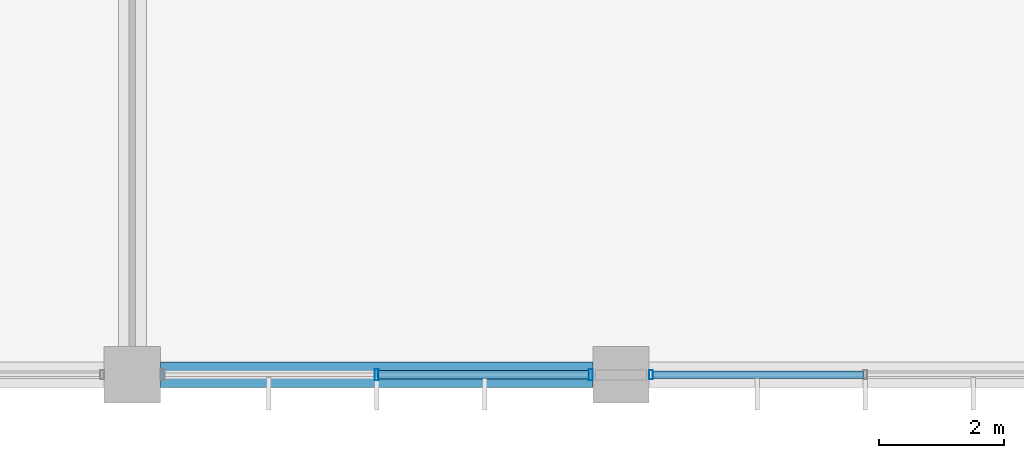
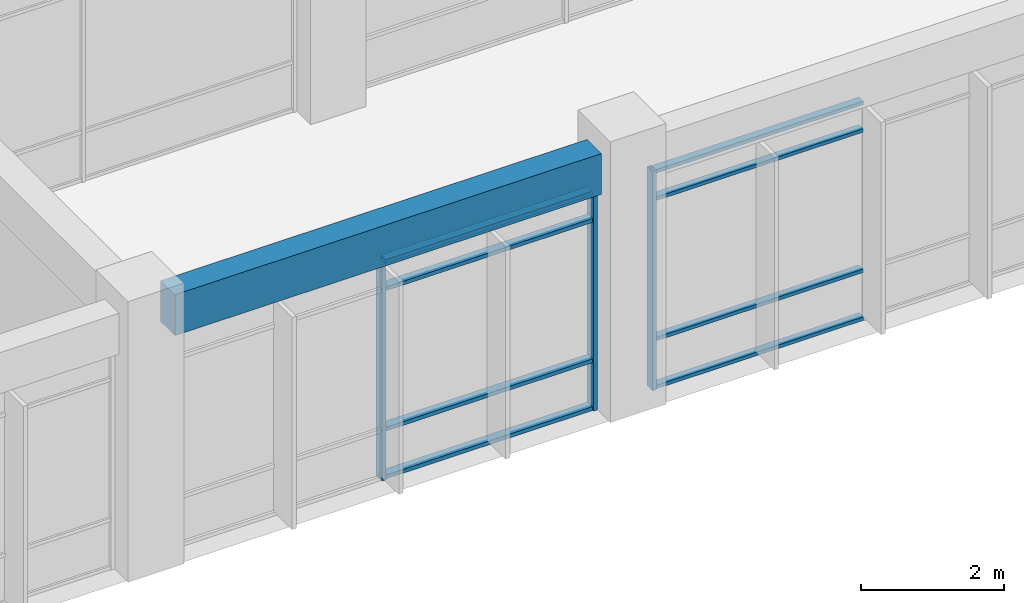
# One storey, part 20 of 79: 11 members, 1 beam, 2 elements without a shape of their own.
"""IFC4 building model written with IfcOpenShell, lengths in metres."""

from ifc_helpers import new_model, si_unit, direction, frame, origin, origin_2d, place, context, subcontext, project, spatial, rectangle, hollow_rectangle, extrude, material, material_profile, profile_set, type_object, element, aggregate, save


model = new_model("IFC4")

# Units and contexts
model_context = context("Model", 3, precision=1e-05, world=origin(), true_north=direction((0.0, 1.0)))
body_context = subcontext(model_context, "Body", "Model", "MODEL_VIEW")
ifc_project = project(units=[si_unit("LENGTHUNIT", "METRE"), si_unit("AREAUNIT", "SQUARE_METRE"), si_unit("VOLUMEUNIT", "CUBIC_METRE"), si_unit("PLANEANGLEUNIT", "RADIAN"), si_unit("MASSUNIT", "GRAM", prefix="KILO"), si_unit("THERMODYNAMICTEMPERATUREUNIT", "KELVIN"), si_unit("POWERUNIT", "WATT")], contexts=[model_context])

# Site, building, storey
site_placement = place(None, origin())
site = spatial("IfcSite", under=ifc_project, at=site_placement, CompositionType="ELEMENT")
building_placement = place(site_placement, origin())
building = spatial("IfcBuilding", under=site, at=building_placement, Name="Srebrne Nadtorze General Hospital", CompositionType="ELEMENT")
storey_placement = place(building_placement, frame((0.0, 0.0, 4.800048828125)))
storey = spatial("IfcBuildingStorey", under=building, at=storey_placement, Name="L01", CompositionType="ELEMENT", Elevation=4.800048828125)

# Curtain wall, member
ifc_material_1 = material(Name="Anodised Aluminium", Category="aluminium")
curtain_wall_type = type_object("IfcCurtainWallType", Name="Unitised curtain wall 6900x3750", PredefinedType="NOTDEFINED", material=ifc_material_1)
curtain_wall_1_placement = place(storey_placement, origin())
curtain_wall_1 = element("IfcCurtainWall", 1, at=curtain_wall_1_placement, inside=storey, type_object=curtain_wall_type, Name="Curtain wall CW-038", PredefinedType="NOTDEFINED")
ifc_material_2 = material(Name="Anodised Aluminium", Category="aluminium")
ifc_material_profile_1 = material_profile(ifc_material_2, hollow_rectangle(XDim=0.06005859375, YDim=0.14990234375, WallThickness=0.00390625, at=origin_2d()), Name="AL-MUL-60x150")
ifc_profile_set_1 = profile_set([ifc_material_profile_1], Name="Anodised Aluminium")
member_type_1 = type_object("IfcMemberType", Name="Curtain mullion 60x150", PredefinedType="MULLION", material=ifc_profile_set_1)
member_1_placement = place(storey_placement, frame((125.280029296875, 0.0, 0.0), z_axis=(0.0, 0.0, 1.0), x_axis=(1.0, 0.0, 0.0)))
member_1 = element("IfcMember", 2, at=member_1_placement, type_object=member_type_1, Name="CW-038 mullion 1", PredefinedType="MULLION", context=body_context, shape_type="SweptSolid", body=[
    extrude(hollow_rectangle(XDim=0.06005859375, YDim=0.14990234375, WallThickness=0.00390625, at=origin_2d()), origin(), (0.0, 0.0, 1.0), 3.75),
])

# Curtain wall, members
curtain_wall_2_placement = place(storey_placement, origin())
curtain_wall_2 = element("IfcCurtainWall", 3, at=curtain_wall_2_placement, inside=storey, type_object=curtain_wall_type, Name="Curtain wall CW-037", PredefinedType="NOTDEFINED")
ifc_material_3 = material(Name="Anodised Aluminium", Category="aluminium")
ifc_material_profile_2 = material_profile(ifc_material_3, hollow_rectangle(XDim=0.06494140625, YDim=0.179931640625, WallThickness=0.00390625, at=origin_2d()), Name="AL-MUL-65x180")
ifc_profile_set_2 = profile_set([ifc_material_profile_2], Name="Anodised Aluminium")
member_type_2 = type_object("IfcMemberType", Name="Curtain mullion 65x180", PredefinedType="MULLION", material=ifc_profile_set_2)
member_2_placement = place(storey_placement, frame((120.89990234375, 0.0, 0.0), z_axis=(0.0, 0.0, 1.0), x_axis=(1.0, 0.0, 0.0)))
member_2 = element("IfcMember", 4, at=member_2_placement, type_object=member_type_2, Name="CW-037 mullion 2", PredefinedType="MULLION", context=body_context, shape_type="SweptSolid", body=[
    extrude(hollow_rectangle(XDim=0.06494140625, YDim=0.179931640625, WallThickness=0.00390625, at=origin_2d()), origin(), (0.0, 0.0, 1.0), 3.75),
])
member_3_placement = place(storey_placement, frame((124.3173828125, 0.0, 0.0), z_axis=(0.0, 0.0, 1.0), x_axis=(1.0, 0.0, 0.0)))
member_3 = element("IfcMember", 5, at=member_3_placement, type_object=member_type_2, Name="CW-037 mullion 3", PredefinedType="MULLION", context=body_context, shape_type="SweptSolid", body=[
    extrude(hollow_rectangle(XDim=0.06494140625, YDim=0.179931640625, WallThickness=0.00390625, at=origin_2d()), origin(), (0.0, 0.0, 1.0), 3.75),
])

# Member
ifc_material_4 = material(Name="Anodised Aluminium", Category="aluminium")
ifc_material_profile_3 = material_profile(ifc_material_4, hollow_rectangle(XDim=0.06005859375, YDim=0.1201171875, WallThickness=0.00390625, at=origin_2d()), Name="AL-TRN-60x120")
ifc_profile_set_3 = profile_set([ifc_material_profile_3], Name="Anodised Aluminium")
member_type_3 = type_object("IfcMemberType", Name="Curtain transom 60x120", PredefinedType="USERDEFINED", material=ifc_profile_set_3)
member_4_placement = place(storey_placement, frame((125.31005859375, 0.0, 0.030029296875), z_axis=(1.0, 0.0, 0.0), x_axis=(0.0, 0.0, 1.0)))
member_4 = element("IfcMember", 6, at=member_4_placement, type_object=member_type_3, Name="CW-038 transom 1.1", ObjectType="TRANSOM", PredefinedType="USERDEFINED", context=body_context, shape_type="SweptSolid", body=[
    extrude(hollow_rectangle(XDim=0.06005859375, YDim=0.1201171875, WallThickness=0.00390625, at=origin_2d()), origin(), (0.0, 0.0, 1.0), 3.35986328125),
])

member_5_placement = place(storey_placement, frame((125.31005859375, 0.0, 0.849853515625), z_axis=(1.0, 0.0, 0.0), x_axis=(0.0, 0.0, 1.0)))
member_5 = element("IfcMember", 7, at=member_5_placement, type_object=member_type_3, Name="CW-038 transom 1.2", ObjectType="TRANSOM", PredefinedType="USERDEFINED", context=body_context, shape_type="SweptSolid", body=[
    extrude(hollow_rectangle(XDim=0.06005859375, YDim=0.1201171875, WallThickness=0.00390625, at=origin_2d()), origin(), (0.0, 0.0, 1.0), 3.35986328125),
])

member_6_placement = place(storey_placement, frame((125.31005859375, 0.0, 3.25), z_axis=(1.0, 0.0, 0.0), x_axis=(0.0, 0.0, 1.0)))
member_6 = element("IfcMember", 8, at=member_6_placement, type_object=member_type_3, Name="CW-038 transom 1.3", ObjectType="TRANSOM", PredefinedType="USERDEFINED", context=body_context, shape_type="SweptSolid", body=[
    extrude(hollow_rectangle(XDim=0.06005859375, YDim=0.1201171875, WallThickness=0.00390625, at=origin_2d()), origin(), (0.0, 0.0, 1.0), 3.35986328125),
])

member_7_placement = place(storey_placement, frame((125.31005859375, 0.0, 3.719970703125), z_axis=(1.0, 0.0, 0.0), x_axis=(0.0, 0.0, 1.0)))
member_7 = element("IfcMember", 9, at=member_7_placement, type_object=member_type_3, Name="CW-038 transom 1.4", ObjectType="TRANSOM", PredefinedType="USERDEFINED", context=body_context, shape_type="SweptSolid", body=[
    extrude(hollow_rectangle(XDim=0.06005859375, YDim=0.1201171875, WallThickness=0.00390625, at=origin_2d()), origin(), (0.0, 0.0, 1.0), 3.35986328125),
])

aggregate(curtain_wall_1, [member_1, member_4, member_5, member_6, member_7])

ifc_material_5 = material(Name="Anodised Aluminium", Category="aluminium")
ifc_material_profile_4 = material_profile(ifc_material_5, hollow_rectangle(XDim=0.06494140625, YDim=0.139892578125, WallThickness=0.00390625, at=origin_2d()), Name="AL-TRN-65x140")
ifc_profile_set_4 = profile_set([ifc_material_profile_4], Name="Anodised Aluminium")
member_type_4 = type_object("IfcMemberType", Name="Curtain transom 65x140", PredefinedType="USERDEFINED", material=ifc_profile_set_4)
member_8_placement = place(storey_placement, frame((120.9326171875, 0.0, 0.032470703125), z_axis=(1.0, 0.0, 0.0), x_axis=(0.0, 0.0, 1.0)))
member_8 = element("IfcMember", 10, at=member_8_placement, type_object=member_type_4, Name="CW-037 transom 2.1", ObjectType="TRANSOM", PredefinedType="USERDEFINED", context=body_context, shape_type="SweptSolid", body=[
    extrude(hollow_rectangle(XDim=0.06494140625, YDim=0.139892578125, WallThickness=0.00390625, at=origin_2d()), origin(), (0.0, 0.0, 1.0), 3.352294921875),
])

member_9_placement = place(storey_placement, frame((120.9326171875, 0.0, 0.849853515625), z_axis=(1.0, 0.0, 0.0), x_axis=(0.0, 0.0, 1.0)))
member_9 = element("IfcMember", 11, at=member_9_placement, type_object=member_type_4, Name="CW-037 transom 2.2", ObjectType="TRANSOM", PredefinedType="USERDEFINED", context=body_context, shape_type="SweptSolid", body=[
    extrude(hollow_rectangle(XDim=0.06494140625, YDim=0.139892578125, WallThickness=0.00390625, at=origin_2d()), origin(), (0.0, 0.0, 1.0), 3.352294921875),
])

member_10_placement = place(storey_placement, frame((120.9326171875, 0.0, 3.25), z_axis=(1.0, 0.0, 0.0), x_axis=(0.0, 0.0, 1.0)))
member_10 = element("IfcMember", 12, at=member_10_placement, type_object=member_type_4, Name="CW-037 transom 2.3", ObjectType="TRANSOM", PredefinedType="USERDEFINED", context=body_context, shape_type="SweptSolid", body=[
    extrude(hollow_rectangle(XDim=0.06494140625, YDim=0.139892578125, WallThickness=0.00390625, at=origin_2d()), origin(), (0.0, 0.0, 1.0), 3.352294921875),
])

member_11_placement = place(storey_placement, frame((120.9326171875, 0.0, 3.717529296875), z_axis=(1.0, 0.0, 0.0), x_axis=(0.0, 0.0, 1.0)))
member_11 = element("IfcMember", 13, at=member_11_placement, type_object=member_type_4, Name="CW-037 transom 2.4", ObjectType="TRANSOM", PredefinedType="USERDEFINED", context=body_context, shape_type="SweptSolid", body=[
    extrude(hollow_rectangle(XDim=0.06494140625, YDim=0.139892578125, WallThickness=0.00390625, at=origin_2d()), origin(), (0.0, 0.0, 1.0), 3.352294921875),
])

aggregate(curtain_wall_2, [member_2, member_3, member_8, member_9, member_10, member_11])

# Beam
ifc_material_6 = material(Name="Concrete C40/50", Category="concrete")
ifc_material_profile_5 = material_profile(ifc_material_6, rectangle(XDim=0.39990234375, YDim=0.699951171875, at=origin_2d()), Name="RC-BM-400x700")
ifc_profile_set_5 = profile_set([ifc_material_profile_5], Name="Concrete C40/50")
beam_type = type_object("IfcBeamType", Name="Edge beam RC 400x700", PredefinedType="BEAM", material=ifc_profile_set_5)
beam_placement = place(storey_placement, frame((117.449951171875, 0.0, 4.099853515625), z_axis=(1.0, 0.0, 0.0), x_axis=(0.0, 1.0, 0.0)))
element("IfcBeam", 14, at=beam_placement, inside=storey, type_object=beam_type, Name="Beam BM-L01-X-0374", PredefinedType="BEAM", context=body_context, shape_type="SweptSolid", body=[
    extrude(rectangle(XDim=0.39990234375, YDim=0.699951171875, at=origin_2d()), origin(), (0.0, 0.0, 1.0), 6.900146484375),
])

save(model, "model.ifc")
